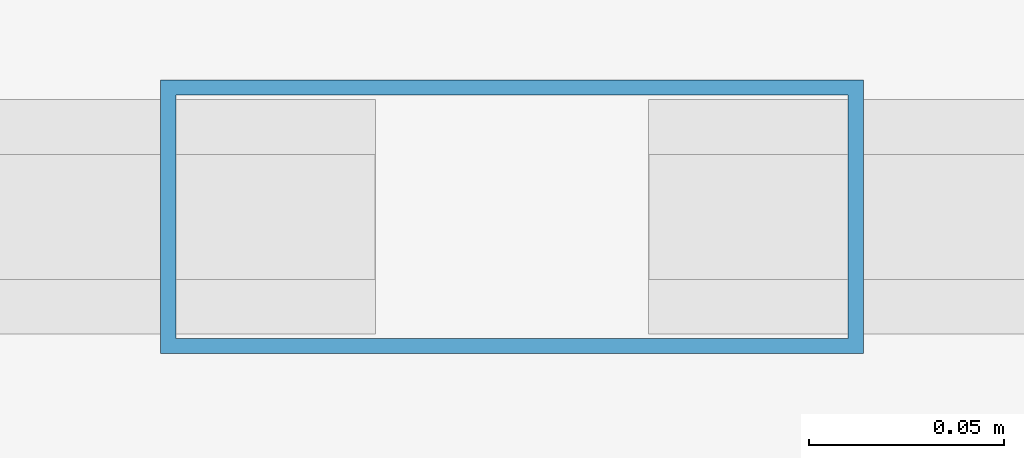
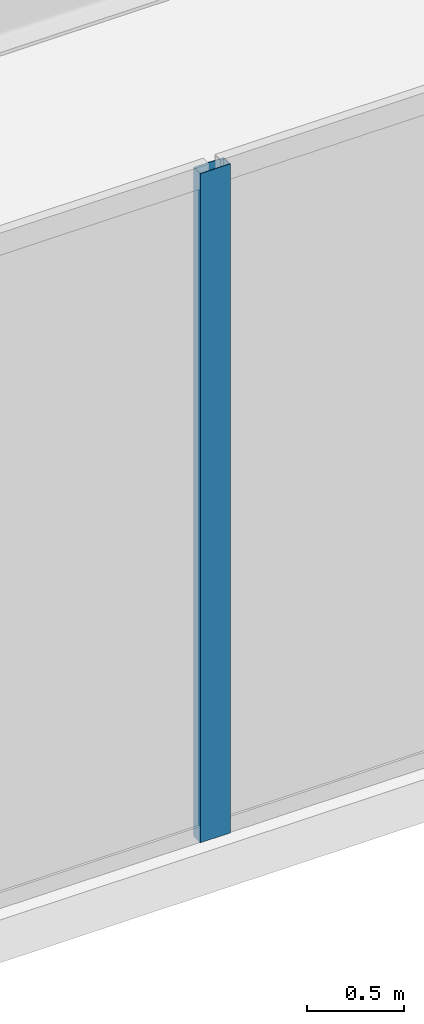
# One storey, part 12 of 28: 1 member, 1 element without a shape of its own.
"""IFC4 building model written with IfcOpenShell, lengths in metres."""

from ifc_helpers import new_model, si_unit, direction, frame, origin, origin_2d, place, context, subcontext, project, spatial, hollow_rectangle, extrude, material, layer, layer_set, material_profile, profile_set, type_object, element, aggregate, save


model = new_model("IFC4")

# Units and contexts
model_context = context("Model", 3, precision=1e-05, world=origin(), true_north=direction((0.0, 1.0)))
body_context = subcontext(model_context, "Body", "Model", "MODEL_VIEW")
ifc_project = project(units=[si_unit("LENGTHUNIT", "METRE"), si_unit("AREAUNIT", "SQUARE_METRE"), si_unit("VOLUMEUNIT", "CUBIC_METRE"), si_unit("PLANEANGLEUNIT", "RADIAN"), si_unit("MASSUNIT", "GRAM", prefix="KILO")], contexts=[model_context])

# Site, building, storey
site_placement = place(None, origin())
site = spatial("IfcSite", under=ifc_project, at=site_placement, CompositionType="ELEMENT")
building_placement = place(site_placement, origin())
building = spatial("IfcBuilding", under=site, at=building_placement, Name="Kravanh Interchange Tower", CompositionType="ELEMENT")
storey_placement = place(building_placement, frame((0.0, 0.0, 15.300048828125)))
storey = spatial("IfcBuildingStorey", under=building, at=storey_placement, Name="L03", CompositionType="ELEMENT", Elevation=15.300048828125)

# Curtain wall, member
ifc_material_1 = material(Name="Anodised Bronze Aluminium", Category="aluminium")
ifc_layer = layer(ifc_material_1, 0.179931640625)
ifc_layer_set = layer_set([ifc_layer], Name="Unitised Curtain Wall System CW-POD Podium Concourse")
curtain_wall_type = type_object("IfcCurtainWallType", Name="Unitised Curtain Wall System CW-POD Podium Concourse", PredefinedType="NOTDEFINED", material=ifc_layer_set)
curtain_wall_placement = place(storey_placement, origin())
curtain_wall = element("IfcCurtainWall", 1, at=curtain_wall_placement, inside=storey, type_object=curtain_wall_type, Name="L03 Unitised Curtain Wall CW-L03-04", PredefinedType="NOTDEFINED")
ifc_material_2 = material(Name="Anodised Bronze Aluminium", Category="aluminium")
ifc_material_profile = material_profile(ifc_material_2, hollow_rectangle(XDim=0.070068359375, YDim=0.179931640625, WallThickness=0.00390625, at=origin_2d()), Name="ALU70X180X4")
ifc_profile_set = profile_set([ifc_material_profile], Name="Anodised Bronze Aluminium")
member_type = type_object("IfcMemberType", Name="Curtain Wall Mullion ALU70X180X4 Bronze", PredefinedType="MULLION", material=ifc_profile_set)
member_placement = place(storey_placement, frame((34.357666015625, 0.1201171875, 0.0), z_axis=(0.0, 0.0, 1.0), x_axis=(0.0, -1.0, 0.0)))
member = element("IfcMember", 2, at=member_placement, type_object=member_type, Name="CW-POD mullion 8", PredefinedType="MULLION", context=body_context, shape_type="SweptSolid", body=[
    extrude(hollow_rectangle(XDim=0.070068359375, YDim=0.179931640625, WallThickness=0.00390625, at=origin_2d()), origin(), (0.0, 0.0, 1.0), 4.22998046875),
])
aggregate(curtain_wall, [member])

save(model, "model.ifc")
